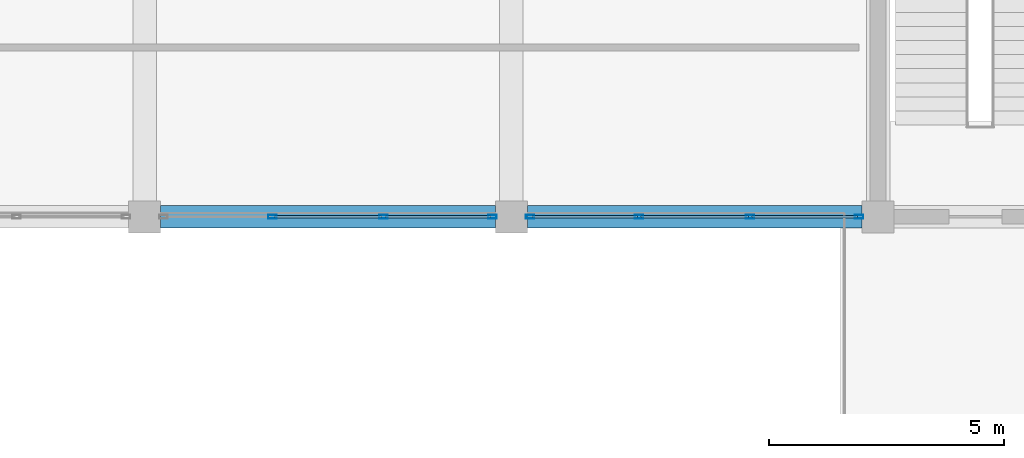
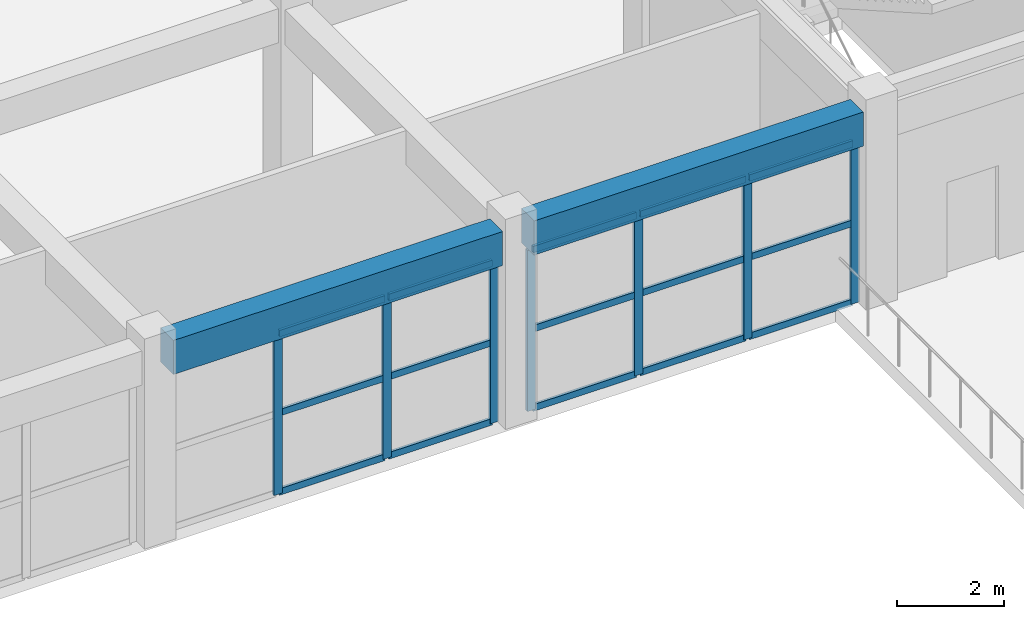
# One storey, part 105 of 175: 22 members, 2 beams, 2 elements without a shape of their own.
"""IFC4 building model written with IfcOpenShell, lengths in metres."""

from ifc_helpers import new_model, si_unit, direction, frame, origin, origin_2d, place, context, subcontext, project, spatial, rectangle, hollow_rectangle, extrude, material, layer, layer_set, material_profile, profile_set, type_object, element, aggregate, save


model = new_model("IFC4")

# Units and contexts
model_context = context("Model", 3, precision=1e-05, world=origin(), true_north=direction((0.0, 1.0)))
body_context = subcontext(model_context, "Body", "Model", "MODEL_VIEW")
ifc_project = project(units=[si_unit("LENGTHUNIT", "METRE"), si_unit("AREAUNIT", "SQUARE_METRE"), si_unit("VOLUMEUNIT", "CUBIC_METRE"), si_unit("PLANEANGLEUNIT", "RADIAN"), si_unit("MASSUNIT", "GRAM", prefix="KILO")], contexts=[model_context])

# Site, building, storey
site_placement = place(None, origin())
site = spatial("IfcSite", under=ifc_project, at=site_placement, CompositionType="ELEMENT")
building_placement = place(site_placement, origin())
building = spatial("IfcBuilding", under=site, at=building_placement, Name="Zizhar Promenade General Hospital", CompositionType="ELEMENT")
storey_placement = place(building_placement, frame((0.0, 0.0, 4.800048828125)))
storey = spatial("IfcBuildingStorey", under=building, at=storey_placement, Name="L01", CompositionType="ELEMENT", Elevation=4.800048828125)

# Beams
ifc_material_1 = material(Name="Concrete C35/45", Category="concrete")
ifc_material_profile_1 = material_profile(ifc_material_1, rectangle(XDim=0.47998046875, YDim=0.780029296875, at=origin_2d()))
ifc_profile_set_1 = profile_set([ifc_material_profile_1], Name="Concrete C35/45")
beam_type = type_object("IfcBeamType", Name="BM-RC-480x780", PredefinedType="BEAM", material=ifc_profile_set_1)
beam_1_placement = place(storey_placement, frame((156.340087890625, 92.39990234375, 4.079833984375), z_axis=(1.0, 0.0, 0.0), x_axis=(0.0, 1.0, 0.0)))
element("IfcBeam", 1, at=beam_1_placement, inside=storey, type_object=beam_type, Name="Grid Beam X L01 (20-11)", PredefinedType="BEAM", context=body_context, shape_type="SweptSolid", body=[
    extrude(rectangle(XDim=0.47998046875, YDim=0.780029296875, at=origin_2d()), origin(), (0.0, 0.0, 1.0), 7.119873046875),
])
beam_2_placement = place(storey_placement, frame((164.139892578125, 92.39990234375, 4.079833984375), z_axis=(1.0, 0.0, 0.0), x_axis=(0.0, 1.0, 0.0)))
element("IfcBeam", 2, at=beam_2_placement, inside=storey, type_object=beam_type, Name="Grid Beam X L01 (21-11)", PredefinedType="BEAM", context=body_context, shape_type="SweptSolid", body=[
    extrude(rectangle(XDim=0.47998046875, YDim=0.780029296875, at=origin_2d()), origin(), (0.0, 0.0, 1.0), 7.1201171875),
])

# Curtain wall, members
ifc_material_2 = material(Name="Anodised aluminium 6063-T6 and low-E glass", Category="aluminium")
ifc_layer = layer(ifc_material_2, 0.159912109375)
ifc_layer_set = layer_set([ifc_layer], Name="Anodised aluminium 6063-T6 and low-E glass")
curtain_wall_type = type_object("IfcCurtainWallType", Name="CW-CLN-CRT", PredefinedType="NOTDEFINED", material=ifc_layer_set)
curtain_wall_1_placement = place(storey_placement, origin())
curtain_wall_1 = element("IfcCurtainWall", 3, at=curtain_wall_1_placement, inside=storey, type_object=curtain_wall_type, Name="East Light Court North Glazing L01-20", PredefinedType="NOTDEFINED")
ifc_material_3 = material(Name="Anodised aluminium 6063-T6", Category="aluminium")
ifc_material_profile_2 = material_profile(ifc_material_3, hollow_rectangle(XDim=0.080078125, YDim=0.179931640625, WallThickness=0.0048828125, at=origin_2d()))
ifc_profile_set_2 = profile_set([ifc_material_profile_2], Name="Anodised aluminium 6063-T6")
member_type_1 = type_object("IfcMemberType", Name="CWM-ALU-180x80", PredefinedType="MULLION", material=ifc_profile_set_2)
member_1_placement = place(storey_placement, frame((163.39990234375, 92.39990234375, 0.0), z_axis=(0.0, 0.0, 1.0), x_axis=(0.0, -1.0, 0.0)))
member_1 = element("IfcMember", 4, at=member_1_placement, type_object=member_type_1, Name="CW-10 mullion 1", PredefinedType="MULLION", context=body_context, shape_type="SweptSolid", body=[
    extrude(hollow_rectangle(XDim=0.080078125, YDim=0.179931640625, WallThickness=0.0048828125, at=origin_2d()), origin(), (0.0, 0.0, 1.0), 3.679931640625),
])
member_2_placement = place(storey_placement, frame((161.080078125, 92.39990234375, 0.0), z_axis=(0.0, 0.0, 1.0), x_axis=(0.0, -1.0, 0.0)))
member_2 = element("IfcMember", 5, at=member_2_placement, type_object=member_type_1, Name="CW-10 mullion 2", PredefinedType="MULLION", context=body_context, shape_type="SweptSolid", body=[
    extrude(hollow_rectangle(XDim=0.080078125, YDim=0.179931640625, WallThickness=0.0048828125, at=origin_2d()), origin(), (0.0, 0.0, 1.0), 3.679931640625),
])
member_3_placement = place(storey_placement, frame((158.719970703125, 92.39990234375, 0.0), z_axis=(0.0, 0.0, 1.0), x_axis=(0.0, -1.0, 0.0)))
member_3 = element("IfcMember", 6, at=member_3_placement, type_object=member_type_1, Name="CW-10 mullion 3", PredefinedType="MULLION", context=body_context, shape_type="SweptSolid", body=[
    extrude(hollow_rectangle(XDim=0.080078125, YDim=0.179931640625, WallThickness=0.0048828125, at=origin_2d()), origin(), (0.0, 0.0, 1.0), 3.679931640625),
])

curtain_wall_2_placement = place(storey_placement, origin())
curtain_wall_2 = element("IfcCurtainWall", 7, at=curtain_wall_2_placement, inside=storey, type_object=curtain_wall_type, Name="East Light Court North Glazing L01-21", PredefinedType="NOTDEFINED")
member_4_placement = place(storey_placement, frame((171.199951171875, 92.39990234375, 0.0), z_axis=(0.0, 0.0, 1.0), x_axis=(0.0, -1.0, 0.0)))
member_4 = element("IfcMember", 8, at=member_4_placement, type_object=member_type_1, Name="CW-10 mullion 1", PredefinedType="MULLION", context=body_context, shape_type="SweptSolid", body=[
    extrude(hollow_rectangle(XDim=0.080078125, YDim=0.179931640625, WallThickness=0.0048828125, at=origin_2d()), origin(), (0.0, 0.0, 1.0), 3.679931640625),
])
member_5_placement = place(storey_placement, frame((168.8798828125, 92.39990234375, 0.0), z_axis=(0.0, 0.0, 1.0), x_axis=(0.0, -1.0, 0.0)))
member_5 = element("IfcMember", 9, at=member_5_placement, type_object=member_type_1, Name="CW-10 mullion 2", PredefinedType="MULLION", context=body_context, shape_type="SweptSolid", body=[
    extrude(hollow_rectangle(XDim=0.080078125, YDim=0.179931640625, WallThickness=0.0048828125, at=origin_2d()), origin(), (0.0, 0.0, 1.0), 3.679931640625),
])
member_6_placement = place(storey_placement, frame((166.52001953125, 92.39990234375, 0.0), z_axis=(0.0, 0.0, 1.0), x_axis=(0.0, -1.0, 0.0)))
member_6 = element("IfcMember", 10, at=member_6_placement, type_object=member_type_1, Name="CW-10 mullion 3", PredefinedType="MULLION", context=body_context, shape_type="SweptSolid", body=[
    extrude(hollow_rectangle(XDim=0.080078125, YDim=0.179931640625, WallThickness=0.0048828125, at=origin_2d()), origin(), (0.0, 0.0, 1.0), 3.679931640625),
])
member_7_placement = place(storey_placement, frame((164.199951171875, 92.39990234375, 0.0), z_axis=(0.0, 0.0, 1.0), x_axis=(0.0, -1.0, 0.0)))
member_7 = element("IfcMember", 11, at=member_7_placement, type_object=member_type_1, Name="CW-10 mullion 4", PredefinedType="MULLION", context=body_context, shape_type="SweptSolid", body=[
    extrude(hollow_rectangle(XDim=0.080078125, YDim=0.179931640625, WallThickness=0.0048828125, at=origin_2d()), origin(), (0.0, 0.0, 1.0), 3.679931640625),
])

# Member
ifc_material_4 = material(Name="Anodised aluminium 6063-T6", Category="aluminium")
ifc_material_profile_3 = material_profile(ifc_material_4, hollow_rectangle(XDim=0.06005859375, YDim=0.14990234375, WallThickness=0.00390625, at=origin_2d()))
ifc_profile_set_3 = profile_set([ifc_material_profile_3], Name="Anodised aluminium 6063-T6")
member_type_2 = type_object("IfcMemberType", Name="CWT-ALU-150x60", PredefinedType="USERDEFINED", material=ifc_profile_set_3)
member_8_placement = place(storey_placement, frame((163.360107421875, 92.39990234375, 0.030029296875), z_axis=(-1.0, 0.0, 0.0), x_axis=(0.0, -1.0, 0.0)))
member_8 = element("IfcMember", 12, at=member_8_placement, type_object=member_type_2, Name="CW-10 transom 1.1", ObjectType="TRANSOM", PredefinedType="USERDEFINED", context=body_context, shape_type="SweptSolid", body=[
    extrude(hollow_rectangle(XDim=0.06005859375, YDim=0.14990234375, WallThickness=0.00390625, at=origin_2d()), origin(), (0.0, 0.0, 1.0), 2.239990234375),
])

member_9_placement = place(storey_placement, frame((163.360107421875, 92.39990234375, 1.83984375), z_axis=(-1.0, 0.0, 0.0), x_axis=(0.0, -1.0, 0.0)))
member_9 = element("IfcMember", 13, at=member_9_placement, type_object=member_type_2, Name="CW-10 transom 1.2", ObjectType="TRANSOM", PredefinedType="USERDEFINED", context=body_context, shape_type="SweptSolid", body=[
    extrude(hollow_rectangle(XDim=0.06005859375, YDim=0.14990234375, WallThickness=0.00390625, at=origin_2d()), origin(), (0.0, 0.0, 1.0), 2.239990234375),
])

member_10_placement = place(storey_placement, frame((163.360107421875, 92.39990234375, 3.64990234375), z_axis=(-1.0, 0.0, 0.0), x_axis=(0.0, -1.0, 0.0)))
member_10 = element("IfcMember", 14, at=member_10_placement, type_object=member_type_2, Name="CW-10 transom 1.3", ObjectType="TRANSOM", PredefinedType="USERDEFINED", context=body_context, shape_type="SweptSolid", body=[
    extrude(hollow_rectangle(XDim=0.06005859375, YDim=0.14990234375, WallThickness=0.00390625, at=origin_2d()), origin(), (0.0, 0.0, 1.0), 2.239990234375),
])

member_11_placement = place(storey_placement, frame((161.0400390625, 92.39990234375, 0.030029296875), z_axis=(-1.0, 0.0, 0.0), x_axis=(0.0, -1.0, 0.0)))
member_11 = element("IfcMember", 15, at=member_11_placement, type_object=member_type_2, Name="CW-10 transom 2.1", ObjectType="TRANSOM", PredefinedType="USERDEFINED", context=body_context, shape_type="SweptSolid", body=[
    extrude(hollow_rectangle(XDim=0.06005859375, YDim=0.14990234375, WallThickness=0.00390625, at=origin_2d()), origin(), (0.0, 0.0, 1.0), 2.280029296875),
])

member_12_placement = place(storey_placement, frame((161.0400390625, 92.39990234375, 1.83984375), z_axis=(-1.0, 0.0, 0.0), x_axis=(0.0, -1.0, 0.0)))
member_12 = element("IfcMember", 16, at=member_12_placement, type_object=member_type_2, Name="CW-10 transom 2.2", ObjectType="TRANSOM", PredefinedType="USERDEFINED", context=body_context, shape_type="SweptSolid", body=[
    extrude(hollow_rectangle(XDim=0.06005859375, YDim=0.14990234375, WallThickness=0.00390625, at=origin_2d()), origin(), (0.0, 0.0, 1.0), 2.280029296875),
])

member_13_placement = place(storey_placement, frame((161.0400390625, 92.39990234375, 3.64990234375), z_axis=(-1.0, 0.0, 0.0), x_axis=(0.0, -1.0, 0.0)))
member_13 = element("IfcMember", 17, at=member_13_placement, type_object=member_type_2, Name="CW-10 transom 2.3", ObjectType="TRANSOM", PredefinedType="USERDEFINED", context=body_context, shape_type="SweptSolid", body=[
    extrude(hollow_rectangle(XDim=0.06005859375, YDim=0.14990234375, WallThickness=0.00390625, at=origin_2d()), origin(), (0.0, 0.0, 1.0), 2.280029296875),
])

aggregate(curtain_wall_1, [member_1, member_2, member_3, member_8, member_9, member_10, member_11, member_12, member_13])

member_14_placement = place(storey_placement, frame((171.159912109375, 92.39990234375, 0.030029296875), z_axis=(-1.0, 0.0, 0.0), x_axis=(0.0, -1.0, 0.0)))
member_14 = element("IfcMember", 18, at=member_14_placement, type_object=member_type_2, Name="CW-10 transom 1.1", ObjectType="TRANSOM", PredefinedType="USERDEFINED", context=body_context, shape_type="SweptSolid", body=[
    extrude(hollow_rectangle(XDim=0.06005859375, YDim=0.14990234375, WallThickness=0.00390625, at=origin_2d()), origin(), (0.0, 0.0, 1.0), 2.239990234375),
])

member_15_placement = place(storey_placement, frame((171.159912109375, 92.39990234375, 1.83984375), z_axis=(-1.0, 0.0, 0.0), x_axis=(0.0, -1.0, 0.0)))
member_15 = element("IfcMember", 19, at=member_15_placement, type_object=member_type_2, Name="CW-10 transom 1.2", ObjectType="TRANSOM", PredefinedType="USERDEFINED", context=body_context, shape_type="SweptSolid", body=[
    extrude(hollow_rectangle(XDim=0.06005859375, YDim=0.14990234375, WallThickness=0.00390625, at=origin_2d()), origin(), (0.0, 0.0, 1.0), 2.239990234375),
])

member_16_placement = place(storey_placement, frame((171.159912109375, 92.39990234375, 3.64990234375), z_axis=(-1.0, 0.0, 0.0), x_axis=(0.0, -1.0, 0.0)))
member_16 = element("IfcMember", 20, at=member_16_placement, type_object=member_type_2, Name="CW-10 transom 1.3", ObjectType="TRANSOM", PredefinedType="USERDEFINED", context=body_context, shape_type="SweptSolid", body=[
    extrude(hollow_rectangle(XDim=0.06005859375, YDim=0.14990234375, WallThickness=0.00390625, at=origin_2d()), origin(), (0.0, 0.0, 1.0), 2.239990234375),
])

member_17_placement = place(storey_placement, frame((168.840087890625, 92.39990234375, 0.030029296875), z_axis=(-1.0, 0.0, 0.0), x_axis=(0.0, -1.0, 0.0)))
member_17 = element("IfcMember", 21, at=member_17_placement, type_object=member_type_2, Name="CW-10 transom 2.1", ObjectType="TRANSOM", PredefinedType="USERDEFINED", context=body_context, shape_type="SweptSolid", body=[
    extrude(hollow_rectangle(XDim=0.06005859375, YDim=0.14990234375, WallThickness=0.00390625, at=origin_2d()), origin(), (0.0, 0.0, 1.0), 2.280029296875),
])

member_18_placement = place(storey_placement, frame((168.840087890625, 92.39990234375, 1.83984375), z_axis=(-1.0, 0.0, 0.0), x_axis=(0.0, -1.0, 0.0)))
member_18 = element("IfcMember", 22, at=member_18_placement, type_object=member_type_2, Name="CW-10 transom 2.2", ObjectType="TRANSOM", PredefinedType="USERDEFINED", context=body_context, shape_type="SweptSolid", body=[
    extrude(hollow_rectangle(XDim=0.06005859375, YDim=0.14990234375, WallThickness=0.00390625, at=origin_2d()), origin(), (0.0, 0.0, 1.0), 2.280029296875),
])

member_19_placement = place(storey_placement, frame((168.840087890625, 92.39990234375, 3.64990234375), z_axis=(-1.0, 0.0, 0.0), x_axis=(0.0, -1.0, 0.0)))
member_19 = element("IfcMember", 23, at=member_19_placement, type_object=member_type_2, Name="CW-10 transom 2.3", ObjectType="TRANSOM", PredefinedType="USERDEFINED", context=body_context, shape_type="SweptSolid", body=[
    extrude(hollow_rectangle(XDim=0.06005859375, YDim=0.14990234375, WallThickness=0.00390625, at=origin_2d()), origin(), (0.0, 0.0, 1.0), 2.280029296875),
])

member_20_placement = place(storey_placement, frame((166.47998046875, 92.39990234375, 0.030029296875), z_axis=(-1.0, 0.0, 0.0), x_axis=(0.0, -1.0, 0.0)))
member_20 = element("IfcMember", 24, at=member_20_placement, type_object=member_type_2, Name="CW-10 transom 3.1", ObjectType="TRANSOM", PredefinedType="USERDEFINED", context=body_context, shape_type="SweptSolid", body=[
    extrude(hollow_rectangle(XDim=0.06005859375, YDim=0.14990234375, WallThickness=0.00390625, at=origin_2d()), origin(), (0.0, 0.0, 1.0), 2.239990234375),
])

member_21_placement = place(storey_placement, frame((166.47998046875, 92.39990234375, 1.83984375), z_axis=(-1.0, 0.0, 0.0), x_axis=(0.0, -1.0, 0.0)))
member_21 = element("IfcMember", 25, at=member_21_placement, type_object=member_type_2, Name="CW-10 transom 3.2", ObjectType="TRANSOM", PredefinedType="USERDEFINED", context=body_context, shape_type="SweptSolid", body=[
    extrude(hollow_rectangle(XDim=0.06005859375, YDim=0.14990234375, WallThickness=0.00390625, at=origin_2d()), origin(), (0.0, 0.0, 1.0), 2.239990234375),
])

member_22_placement = place(storey_placement, frame((166.47998046875, 92.39990234375, 3.64990234375), z_axis=(-1.0, 0.0, 0.0), x_axis=(0.0, -1.0, 0.0)))
member_22 = element("IfcMember", 26, at=member_22_placement, type_object=member_type_2, Name="CW-10 transom 3.3", ObjectType="TRANSOM", PredefinedType="USERDEFINED", context=body_context, shape_type="SweptSolid", body=[
    extrude(hollow_rectangle(XDim=0.06005859375, YDim=0.14990234375, WallThickness=0.00390625, at=origin_2d()), origin(), (0.0, 0.0, 1.0), 2.239990234375),
])

aggregate(curtain_wall_2, [member_4, member_5, member_6, member_7, member_14, member_15, member_16, member_17, member_18, member_19, member_20, member_21, member_22])

save(model, "model.ifc")
